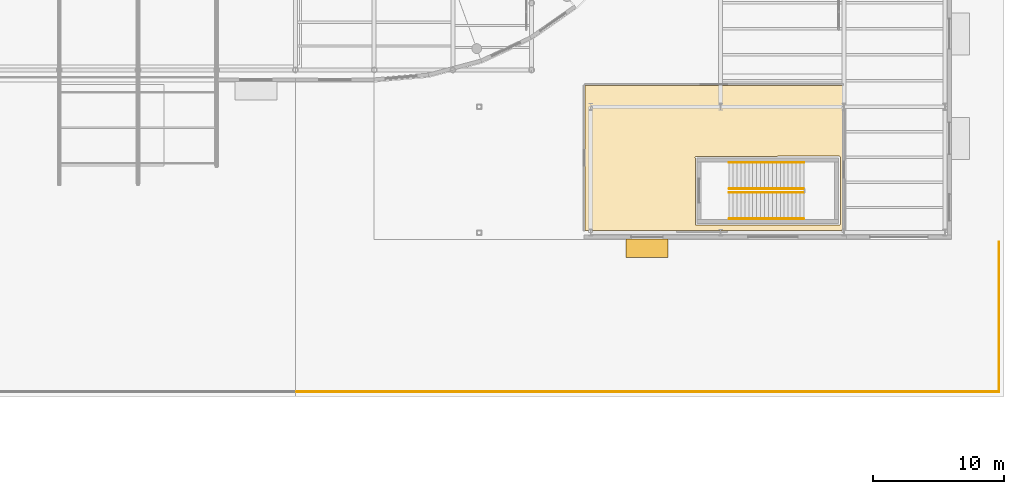
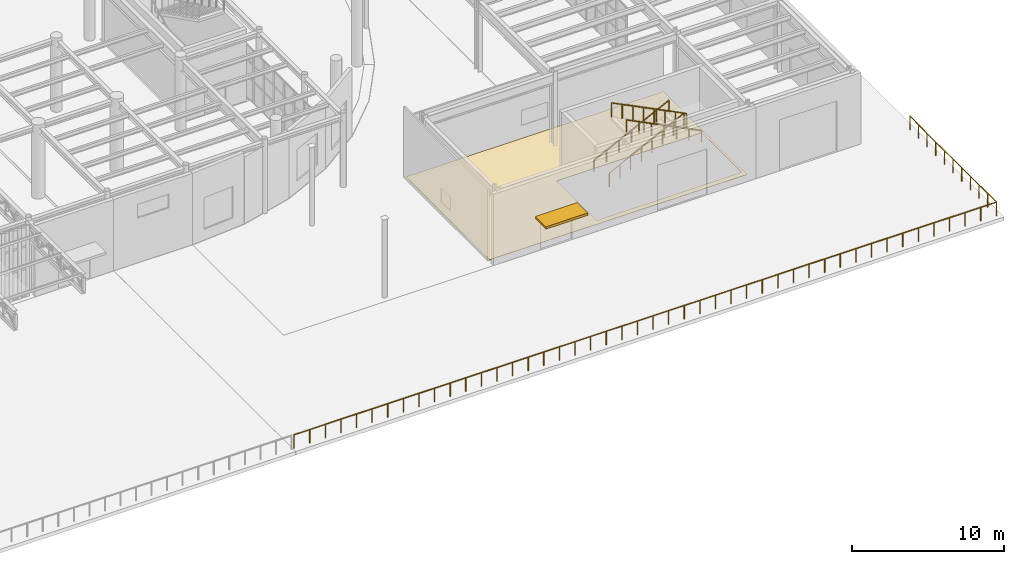
# One storey, part 114 of 118: 5 railings, 1 covering, 1 shading device, 1 element without a shape of its own.
"""IFC4 building model written with IfcOpenShell, lengths in metres."""

from ifc_helpers import new_model, si_unit, direction, frame, origin, origin_2d, place, context, subcontext, project, spatial, polyline, rectangle, circle, outline, extrude, material, layer, layer_set, type_object, element, aggregate, save


model = new_model("IFC4")

# Units and contexts
model_context = context("Model", 3, precision=1e-05, world=origin(), true_north=direction((0.0, 1.0)))
body_context = subcontext(model_context, "Body", "Model", "MODEL_VIEW")
ifc_project = project(units=[si_unit("LENGTHUNIT", "METRE"), si_unit("AREAUNIT", "SQUARE_METRE"), si_unit("VOLUMEUNIT", "CUBIC_METRE"), si_unit("PLANEANGLEUNIT", "RADIAN"), si_unit("MASSUNIT", "GRAM", prefix="KILO")], contexts=[model_context])

# Site, building, storey
site_placement = place(None, origin())
site = spatial("IfcSite", under=ifc_project, at=site_placement, CompositionType="ELEMENT")
building_placement = place(site_placement, origin())
building = spatial("IfcBuilding", under=site, at=building_placement, Name="Kolvaren Corner Interchange", CompositionType="ELEMENT")
storey_placement = place(building_placement, origin())
storey = spatial("IfcBuildingStorey", under=building, at=storey_placement, Name="L01", CompositionType="ELEMENT", Elevation=0.0)

# Covering
ifc_material_1 = material(Name="Polished Niger Delta Granite Terrazzo Flooring", Category="masonry")
ifc_layer = layer(ifc_material_1, 0.030029296875)
ifc_layer_set = layer_set([ifc_layer], Name="Polished Niger Delta Granite Terrazzo Flooring")
covering_type = type_object("IfcCoveringType", Name="COV-FLR-TER30", PredefinedType="FLOORING", material=ifc_layer_set)
covering_placement = place(storey_placement, origin())
element("IfcCovering", 1, at=covering_placement, inside=storey, type_object=covering_type, Name="L01 Bus Dispatch Entrance Hall Floor Finish", PredefinedType="FLOORING", context=body_context, shape_type="SweptSolid", body=[
    extrude(outline(polyline([(136.080078125, 12.679931640625), (155.719970703125, 12.679931640625), (155.719970703125, 23.719970703125), (136.080078125, 23.719970703125), (136.080078125, 12.679931640625)]), holes=[polyline([(155.506591796875, 18.306640625), (155.530029296875, 18.25), (155.530029296875, 13.14990234375), (155.48779296875, 13.079345703125), (144.550048828125, 13.070068359375), (144.4794921875, 13.1123046875), (144.469970703125, 18.25), (144.51220703125, 18.320556640625), (155.449951171875, 18.330078125), (155.506591796875, 18.306640625)])]), origin(), (0.0, 0.0, 1.0), 0.030029296875),
])

# Railing
ifc_material_2 = material(Name="Hot-Dip Galvanised Steel Guardrail", Category="steel")
railing_type_1 = type_object("IfcRailingType", Name="RLT-PLINTH-GRD1120", PredefinedType="GUARDRAIL", material=ifc_material_2)
railing_1_placement = place(storey_placement, frame((114.10009765625, 0.3798828125, 0.0)))
element("IfcRailing", 2, at=railing_1_placement, inside=storey, type_object=railing_type_1, Name="Bus Apron South Plinth Edge Guardrail", PredefinedType="GUARDRAIL", context=body_context, shape_type="SweptSolid", body=[
    extrude(circle(Radius=0.02392578125, at=origin_2d()), frame((0.0, 0.0, 1.09619140625), z_axis=(1.0, 0.0, 0.0), x_axis=(0.0, 1.0, 0.0)), (0.0, 0.0, 1.0), 53.52001953125),
    extrude(circle(Radius=0.02392578125, at=origin_2d()), frame((53.52001953125, 0.0, 1.09619140625), z_axis=(0.0, 1.0, 0.0), x_axis=(-1.0, 0.0, 0.0)), (0.0, 0.0, 1.0), 11.420166015625),
    extrude(circle(Radius=0.02099609375, at=origin_2d()), origin(), (0.0, 0.0, 1.0), 1.072021484375),
    extrude(circle(Radius=0.02099609375, at=origin_2d()), frame((1.189453125, 0.0, 0.0)), (0.0, 0.0, 1.0), 1.072021484375),
    extrude(circle(Radius=0.02099609375, at=origin_2d()), frame((2.378662109375, 0.0, 0.0)), (0.0, 0.0, 1.0), 1.072021484375),
    extrude(circle(Radius=0.02099609375, at=origin_2d()), frame((3.568115234375, 0.0, 0.0)), (0.0, 0.0, 1.0), 1.072021484375),
    extrude(circle(Radius=0.02099609375, at=origin_2d()), frame((4.75732421875, 0.0, 0.0)), (0.0, 0.0, 1.0), 1.072021484375),
    extrude(circle(Radius=0.02099609375, at=origin_2d()), frame((5.94677734375, 0.0, 0.0)), (0.0, 0.0, 1.0), 1.072021484375),
    extrude(circle(Radius=0.02099609375, at=origin_2d()), frame((7.135986328125, 0.0, 0.0)), (0.0, 0.0, 1.0), 1.072021484375),
    extrude(circle(Radius=0.02099609375, at=origin_2d()), frame((8.325439453125, 0.0, 0.0)), (0.0, 0.0, 1.0), 1.072021484375),
    extrude(circle(Radius=0.02099609375, at=origin_2d()), frame((9.5146484375, 0.0, 0.0)), (0.0, 0.0, 1.0), 1.072021484375),
    extrude(circle(Radius=0.02099609375, at=origin_2d()), frame((10.7041015625, 0.0, 0.0)), (0.0, 0.0, 1.0), 1.072021484375),
    extrude(circle(Radius=0.02099609375, at=origin_2d()), frame((11.893310546875, 0.0, 0.0)), (0.0, 0.0, 1.0), 1.072021484375),
    extrude(circle(Radius=0.02099609375, at=origin_2d()), frame((13.082763671875, 0.0, 0.0)), (0.0, 0.0, 1.0), 1.072021484375),
    extrude(circle(Radius=0.02099609375, at=origin_2d()), frame((14.27197265625, 0.0, 0.0)), (0.0, 0.0, 1.0), 1.072021484375),
    extrude(circle(Radius=0.02099609375, at=origin_2d()), frame((15.46142578125, 0.0, 0.0)), (0.0, 0.0, 1.0), 1.072021484375),
    extrude(circle(Radius=0.02099609375, at=origin_2d()), frame((16.650634765625, 0.0, 0.0)), (0.0, 0.0, 1.0), 1.072021484375),
    extrude(circle(Radius=0.02099609375, at=origin_2d()), frame((17.840087890625, 0.0, 0.0)), (0.0, 0.0, 1.0), 1.072021484375),
    extrude(circle(Radius=0.02099609375, at=origin_2d()), frame((19.029296875, 0.0, 0.0)), (0.0, 0.0, 1.0), 1.072021484375),
    extrude(circle(Radius=0.02099609375, at=origin_2d()), frame((20.21875, 0.0, 0.0)), (0.0, 0.0, 1.0), 1.072021484375),
    extrude(circle(Radius=0.02099609375, at=origin_2d()), frame((21.407958984375, 0.0, 0.0)), (0.0, 0.0, 1.0), 1.072021484375),
    extrude(circle(Radius=0.02099609375, at=origin_2d()), frame((22.597412109375, 0.0, 0.0)), (0.0, 0.0, 1.0), 1.072021484375),
    extrude(circle(Radius=0.02099609375, at=origin_2d()), frame((23.78662109375, 0.0, 0.0)), (0.0, 0.0, 1.0), 1.072021484375),
    extrude(circle(Radius=0.02099609375, at=origin_2d()), frame((24.97607421875, 0.0, 0.0)), (0.0, 0.0, 1.0), 1.072021484375),
    extrude(circle(Radius=0.02099609375, at=origin_2d()), frame((26.165283203125, 0.0, 0.0)), (0.0, 0.0, 1.0), 1.072021484375),
    extrude(circle(Radius=0.02099609375, at=origin_2d()), frame((27.354736328125, 0.0, 0.0)), (0.0, 0.0, 1.0), 1.072021484375),
    extrude(circle(Radius=0.02099609375, at=origin_2d()), frame((28.5439453125, 0.0, 0.0)), (0.0, 0.0, 1.0), 1.072021484375),
    extrude(circle(Radius=0.02099609375, at=origin_2d()), frame((29.7333984375, 0.0, 0.0)), (0.0, 0.0, 1.0), 1.072021484375),
    extrude(circle(Radius=0.02099609375, at=origin_2d()), frame((30.922607421875, 0.0, 0.0)), (0.0, 0.0, 1.0), 1.072021484375),
    extrude(circle(Radius=0.02099609375, at=origin_2d()), frame((32.112060546875, 0.0, 0.0)), (0.0, 0.0, 1.0), 1.072021484375),
    extrude(circle(Radius=0.02099609375, at=origin_2d()), frame((33.30126953125, 0.0, 0.0)), (0.0, 0.0, 1.0), 1.072021484375),
    extrude(circle(Radius=0.02099609375, at=origin_2d()), frame((34.49072265625, 0.0, 0.0)), (0.0, 0.0, 1.0), 1.072021484375),
    extrude(circle(Radius=0.02099609375, at=origin_2d()), frame((35.679931640625, 0.0, 0.0)), (0.0, 0.0, 1.0), 1.072021484375),
    extrude(circle(Radius=0.02099609375, at=origin_2d()), frame((36.869384765625, 0.0, 0.0)), (0.0, 0.0, 1.0), 1.072021484375),
    extrude(circle(Radius=0.02099609375, at=origin_2d()), frame((38.05859375, 0.0, 0.0)), (0.0, 0.0, 1.0), 1.072021484375),
    extrude(circle(Radius=0.02099609375, at=origin_2d()), frame((39.248046875, 0.0, 0.0)), (0.0, 0.0, 1.0), 1.072021484375),
    extrude(circle(Radius=0.02099609375, at=origin_2d()), frame((40.437255859375, 0.0, 0.0)), (0.0, 0.0, 1.0), 1.072021484375),
    extrude(circle(Radius=0.02099609375, at=origin_2d()), frame((41.626708984375, 0.0, 0.0)), (0.0, 0.0, 1.0), 1.072021484375),
    extrude(circle(Radius=0.02099609375, at=origin_2d()), frame((42.81591796875, 0.0, 0.0)), (0.0, 0.0, 1.0), 1.072021484375),
    extrude(circle(Radius=0.02099609375, at=origin_2d()), frame((44.00537109375, 0.0, 0.0)), (0.0, 0.0, 1.0), 1.072021484375),
    extrude(circle(Radius=0.02099609375, at=origin_2d()), frame((45.194580078125, 0.0, 0.0)), (0.0, 0.0, 1.0), 1.072021484375),
    extrude(circle(Radius=0.02099609375, at=origin_2d()), frame((46.384033203125, 0.0, 0.0)), (0.0, 0.0, 1.0), 1.072021484375),
    extrude(circle(Radius=0.02099609375, at=origin_2d()), frame((47.5732421875, 0.0, 0.0)), (0.0, 0.0, 1.0), 1.072021484375),
    extrude(circle(Radius=0.02099609375, at=origin_2d()), frame((48.7626953125, 0.0, 0.0)), (0.0, 0.0, 1.0), 1.072021484375),
    extrude(circle(Radius=0.02099609375, at=origin_2d()), frame((49.951904296875, 0.0, 0.0)), (0.0, 0.0, 1.0), 1.072021484375),
    extrude(circle(Radius=0.02099609375, at=origin_2d()), frame((51.141357421875, 0.0, 0.0)), (0.0, 0.0, 1.0), 1.072021484375),
    extrude(circle(Radius=0.02099609375, at=origin_2d()), frame((52.33056640625, 0.0, 0.0)), (0.0, 0.0, 1.0), 1.072021484375),
    extrude(circle(Radius=0.02099609375, at=origin_2d()), frame((53.52001953125, 0.0, 0.0)), (0.0, 0.0, 1.0), 1.072021484375),
    extrude(circle(Radius=0.02099609375, at=origin_2d()), frame((53.52001953125, 1.14208984375, 0.0)), (0.0, 0.0, 1.0), 1.072021484375),
    extrude(circle(Radius=0.02099609375, at=origin_2d()), frame((53.52001953125, 2.283935546875, 0.0)), (0.0, 0.0, 1.0), 1.072021484375),
    extrude(circle(Radius=0.02099609375, at=origin_2d()), frame((53.52001953125, 3.426025390625, 0.0)), (0.0, 0.0, 1.0), 1.072021484375),
    extrude(circle(Radius=0.02099609375, at=origin_2d()), frame((53.52001953125, 4.568115234375, 0.0)), (0.0, 0.0, 1.0), 1.072021484375),
    extrude(circle(Radius=0.02099609375, at=origin_2d()), frame((53.52001953125, 5.7099609375, 0.0)), (0.0, 0.0, 1.0), 1.072021484375),
    extrude(circle(Radius=0.02099609375, at=origin_2d()), frame((53.52001953125, 6.85205078125, 0.0)), (0.0, 0.0, 1.0), 1.072021484375),
    extrude(circle(Radius=0.02099609375, at=origin_2d()), frame((53.52001953125, 7.994140625, 0.0)), (0.0, 0.0, 1.0), 1.072021484375),
    extrude(circle(Radius=0.02099609375, at=origin_2d()), frame((53.52001953125, 9.13623046875, 0.0)), (0.0, 0.0, 1.0), 1.072021484375),
    extrude(circle(Radius=0.02099609375, at=origin_2d()), frame((53.52001953125, 10.278076171875, 0.0)), (0.0, 0.0, 1.0), 1.072021484375),
    extrude(circle(Radius=0.02099609375, at=origin_2d()), frame((53.52001953125, 11.420166015625, 0.0)), (0.0, 0.0, 1.0), 1.072021484375),
])

# Stair, railings
ifc_material_3 = material(Name="Concrete C35/45", Category="concrete")
stair_type = type_object("IfcStairType", Name="ST-PL-2100", PredefinedType="HALF_TURN_STAIR", material=ifc_material_3)
stair_placement = place(storey_placement, origin())
stair = element("IfcStair", 3, at=stair_placement, inside=storey, type_object=stair_type, Name="Bus Dispatch Lounge Exit Stair L01 to L02 Stair", PredefinedType="HALF_TURN_STAIR")
ifc_material_4 = material(Name="Powder-Coated Steel Stairwell Guardrail", Category="steel")
railing_type_2 = type_object("IfcRailingType", Name="RLT-STAIR-GRD1120", PredefinedType="GUARDRAIL", material=ifc_material_4)
railing_2_placement = place(storey_placement, frame((147.050048828125, 15.85009765625, 0.14990234375)))
railing_2 = element("IfcRailing", 4, at=railing_2_placement, type_object=railing_type_2, Name="Bus Dispatch Lounge Exit Stair L01 Lower Flight Well Guardrail", PredefinedType="GUARDRAIL", context=body_context, shape_type="SweptSolid", body=[
    extrude(circle(Radius=0.02392578125, at=origin_2d()), frame((0.0, 0.0, 1.09619140625), z_axis=(0.894419528903, 0.0, 0.447228919365), x_axis=(0.0, 1.0, 0.0)), (0.0, 0.0, 1.0), 6.372802734375),
    extrude(circle(Radius=0.02001953125, at=origin_2d()), origin(), (0.0, 0.0, 1.0), 1.072021484375),
    extrude(circle(Radius=0.02001953125, at=origin_2d()), frame((0.814208984375, 0.0, 0.4072265625)), (0.0, 0.0, 1.0), 1.072021484375),
    extrude(circle(Radius=0.02001953125, at=origin_2d()), frame((1.628662109375, 0.0, 0.814208984375)), (0.0, 0.0, 1.0), 1.072021484375),
    extrude(circle(Radius=0.02001953125, at=origin_2d()), frame((2.44287109375, 0.0, 1.221435546875)), (0.0, 0.0, 1.0), 1.072021484375),
    extrude(circle(Radius=0.02001953125, at=origin_2d()), frame((3.257080078125, 0.0, 1.628662109375)), (0.0, 0.0, 1.0), 1.072021484375),
    extrude(circle(Radius=0.02001953125, at=origin_2d()), frame((4.0712890625, 0.0, 2.035888671875)), (0.0, 0.0, 1.0), 1.072021484375),
    extrude(circle(Radius=0.02001953125, at=origin_2d()), frame((4.8857421875, 0.0, 2.44287109375)), (0.0, 0.0, 1.0), 1.072021484375),
    extrude(circle(Radius=0.02001953125, at=origin_2d()), frame((5.699951171875, 0.0, 2.85009765625)), (0.0, 0.0, 1.0), 1.072021484375),
])
railing_3_placement = place(storey_placement, frame((152.75, 15.550048828125, 3.14990234375)))
railing_3 = element("IfcRailing", 5, at=railing_3_placement, type_object=railing_type_2, Name="Bus Dispatch Lounge Exit Stair L01 Upper Flight Well Guardrail", PredefinedType="GUARDRAIL", context=body_context, shape_type="SweptSolid", body=[
    extrude(circle(Radius=0.02392578125, at=origin_2d()), frame((0.0, 0.0, 1.09619140625), z_axis=(-0.894419528903, 0.0, 0.447228919365), x_axis=(0.0, -1.0, 0.0)), (0.0, 0.0, 1.0), 6.372802734375),
    extrude(circle(Radius=0.02001953125, at=origin_2d()), origin(), (0.0, 0.0, 1.0), 1.072021484375),
    extrude(circle(Radius=0.02001953125, at=origin_2d()), frame((-0.814208984375, 0.0, 0.4072265625)), (0.0, 0.0, 1.0), 1.072021484375),
    extrude(circle(Radius=0.02001953125, at=origin_2d()), frame((-1.628662109375, 0.0, 0.814208984375)), (0.0, 0.0, 1.0), 1.072021484375),
    extrude(circle(Radius=0.02001953125, at=origin_2d()), frame((-2.44287109375, 0.0, 1.221435546875)), (0.0, 0.0, 1.0), 1.072021484375),
    extrude(circle(Radius=0.02001953125, at=origin_2d()), frame((-3.257080078125, 0.0, 1.628662109375)), (0.0, 0.0, 1.0), 1.072021484375),
    extrude(circle(Radius=0.02001953125, at=origin_2d()), frame((-4.0712890625, 0.0, 2.035888671875)), (0.0, 0.0, 1.0), 1.072021484375),
    extrude(circle(Radius=0.02001953125, at=origin_2d()), frame((-4.8857421875, 0.0, 2.44287109375)), (0.0, 0.0, 1.0), 1.072021484375),
    extrude(circle(Radius=0.02001953125, at=origin_2d()), frame((-5.699951171875, 0.0, 2.85009765625)), (0.0, 0.0, 1.0), 1.072021484375),
])
ifc_material_5 = material(Name="Brushed Stainless Steel Stair Handrail", Category="steel")
railing_type_3 = type_object("IfcRailingType", Name="RLT-STAIR-HR950", PredefinedType="HANDRAIL", material=ifc_material_5)
railing_4_placement = place(storey_placement, frame((147.050048828125, 17.840087890625, 0.14990234375)))
railing_4 = element("IfcRailing", 6, at=railing_4_placement, type_object=railing_type_3, Name="Bus Dispatch Lounge Exit Stair L01 Lower Flight Wall Handrail", PredefinedType="HANDRAIL", context=body_context, shape_type="SweptSolid", body=[
    extrude(circle(Radius=0.02197265625, at=origin_2d()), frame((0.0, 0.0, 0.927978515625), z_axis=(0.894419528903, 0.0, 0.447228919365), x_axis=(0.0, 1.0, 0.0)), (0.0, 0.0, 1.0), 6.372802734375),
    extrude(circle(Radius=0.01806640625, at=origin_2d()), origin(), (0.0, 0.0, 1.0), 0.906005859375),
    extrude(circle(Radius=0.01806640625, at=origin_2d()), frame((0.949951171875, 0.0, 0.47509765625)), (0.0, 0.0, 1.0), 0.906005859375),
    extrude(circle(Radius=0.01806640625, at=origin_2d()), frame((1.89990234375, 0.0, 0.949951171875)), (0.0, 0.0, 1.0), 0.906005859375),
    extrude(circle(Radius=0.01806640625, at=origin_2d()), frame((2.85009765625, 0.0, 1.425048828125)), (0.0, 0.0, 1.0), 0.906005859375),
    extrude(circle(Radius=0.01806640625, at=origin_2d()), frame((3.800048828125, 0.0, 1.900146484375)), (0.0, 0.0, 1.0), 0.906005859375),
    extrude(circle(Radius=0.01806640625, at=origin_2d()), frame((4.75, 0.0, 2.375)), (0.0, 0.0, 1.0), 0.906005859375),
    extrude(circle(Radius=0.01806640625, at=origin_2d()), frame((5.699951171875, 0.0, 2.85009765625)), (0.0, 0.0, 1.0), 0.906005859375),
])
railing_5_placement = place(storey_placement, frame((152.75, 13.56005859375, 3.14990234375)))
railing_5 = element("IfcRailing", 7, at=railing_5_placement, type_object=railing_type_3, Name="Bus Dispatch Lounge Exit Stair L01 Upper Flight Wall Handrail", PredefinedType="HANDRAIL", context=body_context, shape_type="SweptSolid", body=[
    extrude(circle(Radius=0.02197265625, at=origin_2d()), frame((0.0, 0.0, 0.927978515625), z_axis=(-0.894419528903, 0.0, 0.447228919365), x_axis=(0.0, -1.0, 0.0)), (0.0, 0.0, 1.0), 6.372802734375),
    extrude(circle(Radius=0.01806640625, at=origin_2d()), origin(), (0.0, 0.0, 1.0), 0.906005859375),
    extrude(circle(Radius=0.01806640625, at=origin_2d()), frame((-0.949951171875, 0.0, 0.47509765625)), (0.0, 0.0, 1.0), 0.906005859375),
    extrude(circle(Radius=0.01806640625, at=origin_2d()), frame((-1.89990234375, 0.0, 0.949951171875)), (0.0, 0.0, 1.0), 0.906005859375),
    extrude(circle(Radius=0.01806640625, at=origin_2d()), frame((-2.85009765625, 0.0, 1.425048828125)), (0.0, 0.0, 1.0), 0.906005859375),
    extrude(circle(Radius=0.01806640625, at=origin_2d()), frame((-3.800048828125, 0.0, 1.900146484375)), (0.0, 0.0, 1.0), 0.906005859375),
    extrude(circle(Radius=0.01806640625, at=origin_2d()), frame((-4.75, 0.0, 2.375)), (0.0, 0.0, 1.0), 0.906005859375),
    extrude(circle(Radius=0.01806640625, at=origin_2d()), frame((-5.699951171875, 0.0, 2.85009765625)), (0.0, 0.0, 1.0), 0.906005859375),
])
aggregate(stair, [railing_2, railing_3, railing_4, railing_5])

# Shading device
ifc_material_6 = material(Name="Anodised Aluminium Entrance Rain Canopy", Category="aluminium")
shading_device_type = type_object("IfcShadingDeviceType", Name="SHD-CAN-1400", PredefinedType="AWNING", material=ifc_material_6)
shading_device_placement = place(storey_placement, frame((140.800048828125, 11.31494140625, 2.66015625), z_axis=(0.0, 0.0, 1.0), x_axis=(1.0, 0.0, 0.0)))
element("IfcShadingDevice", 8, at=shading_device_placement, inside=storey, type_object=shading_device_type, Name="Entrance Monsoon Rain Canopy 034", PredefinedType="AWNING", context=body_context, shape_type="SweptSolid", body=[
    extrude(rectangle(XDim=3.199951171875, YDim=1.39990234375, at=origin_2d()), origin(), (0.0, 0.0, 1.0), 0.179931640625),
])

save(model, "model.ifc")
